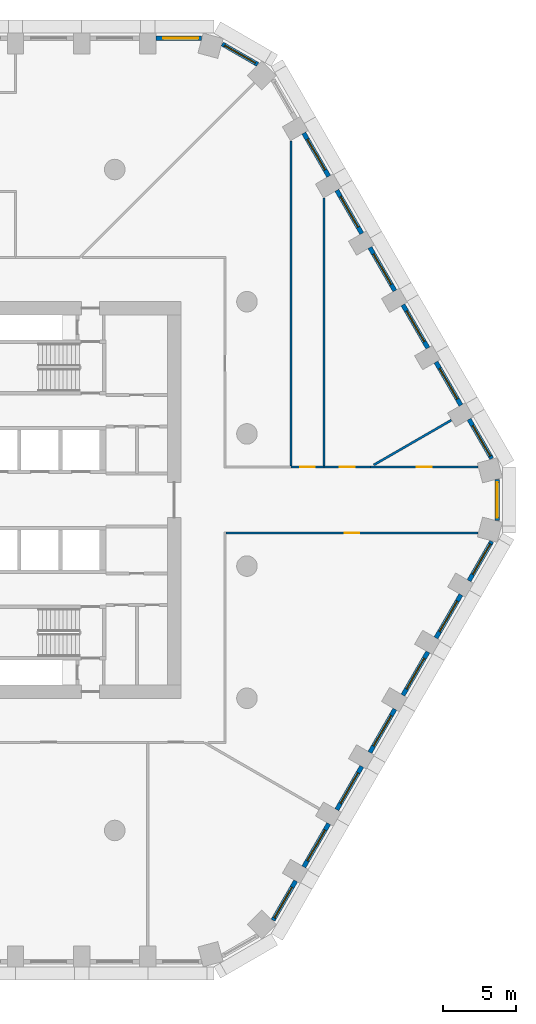
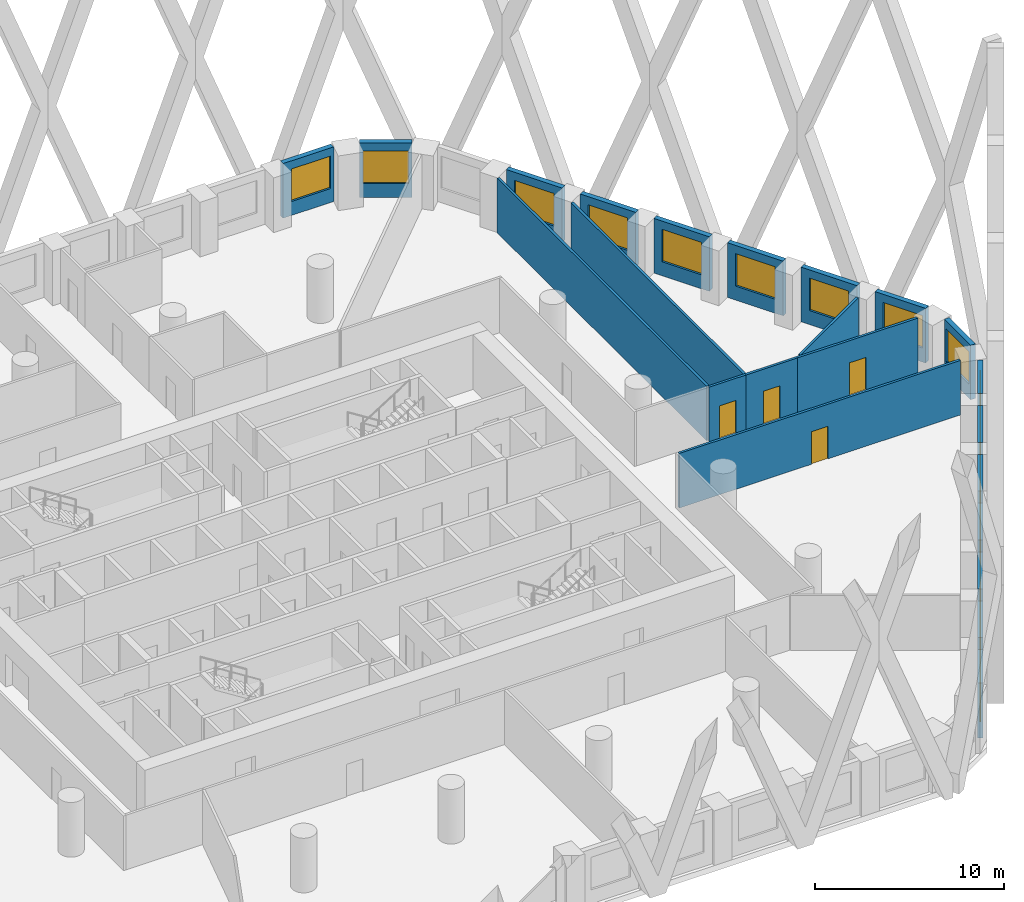
# One storey, part 8 of 18: 23 walls, 16 windows, 4 doors, 20 openings.
"""IFC4 building model written with IfcOpenShell, lengths in metres."""

from ifc_helpers import new_model, si_unit, direction, frame, frame_2d, origin, place, context, subcontext, project, spatial, rectangle, extrude, material, layer, layer_set, type_object, element, fill, save


model = new_model("IFC4")

# Units and contexts
model_context = context("Model", 3, precision=1e-05, world=origin(), true_north=direction((0.0, 1.0)))
body_context = subcontext(model_context, "Body", "Model", "MODEL_VIEW")
ifc_project = project(units=[si_unit("LENGTHUNIT", "METRE"), si_unit("AREAUNIT", "SQUARE_METRE"), si_unit("VOLUMEUNIT", "CUBIC_METRE"), si_unit("PLANEANGLEUNIT", "RADIAN"), si_unit("MASSUNIT", "GRAM", prefix="KILO")], contexts=[model_context])

# Site, building, storey
site_placement = place(None, origin())
site = spatial("IfcSite", under=ifc_project, at=site_placement, CompositionType="ELEMENT")
building_placement = place(site_placement, origin())
building = spatial("IfcBuilding", under=site, at=building_placement, Name="Dhurran Vertical Campus", CompositionType="ELEMENT")
storey_placement = place(building_placement, frame((0.0, 0.0, 53.39990234375)))
storey = spatial("IfcBuildingStorey", under=building, at=storey_placement, Name="L12", CompositionType="ELEMENT", Elevation=53.39990234375)

# Wall, opening, window
ifc_material_1 = material(Name="Precast concrete C50/60", Category="concrete")
ifc_layer_1 = layer(ifc_material_1, 0.300048828125)
ifc_layer_set_1 = layer_set([ifc_layer_1], Name="Precast concrete C50/60")
wall_type_1 = type_object("IfcWallType", Name="Precast spandrel wall 300", PredefinedType="SOLIDWALL", material=ifc_layer_set_1)
wall_1_placement = place(storey_placement, frame((24.2734375, -28.611083984375, 0.0), z_axis=(0.0, 0.0, 1.0), x_axis=(0.499995950774, 0.866027741594, 0.0)))
wall_1 = element("IfcWall", 1, at=wall_1_placement, inside=storey, type_object=wall_type_1, Name="EW1 L12.10", PredefinedType="SOLIDWALL", context=body_context, shape_type="SweptSolid", body=[
    extrude(rectangle(XDim=3.0908203125, YDim=0.300048828125, at=frame_2d((1.54541015625, 0.0))), origin(), (0.0, 0.0, 1.0), 3.525146484375),
])
opening_1_placement = place(wall_1_placement, frame((0.191162109375, 0.0, 0.89990234375)))
opening_1 = element("IfcOpeningElement", 2, at=opening_1_placement, cuts=wall_1, Name="Opening WT1", PredefinedType="OPENING", context=body_context, shape_type="SweptSolid", body=[
    extrude(rectangle(XDim=2.39990234375, YDim=2.10009765625, at=frame_2d((1.199951171875, 1.050048828125))), frame((0.0, 0.159912109375, 0.0), z_axis=(0.0, -1.0, 0.0), x_axis=(1.0, 0.0, 0.0)), (0.0, 0.0, 1.0), 0.320068359375),
])
ifc_material_2 = material(Name="Aluminium frame with solar-control glass", Category="aluminium")
window_type = type_object("IfcWindowType", Name="Punched window 2400 x 2100", PartitioningType="SINGLE_PANEL", PredefinedType="WINDOW", material=ifc_material_2)
window_1_placement = place(opening_1_placement, origin())
window_1 = element("IfcWindow", 3, at=window_1_placement, inside=storey, type_object=window_type, Name="WT1 L12.10", OverallHeight=2.10009765625, OverallWidth=2.39990234375, PartitioningType="SINGLE_PANEL", PredefinedType="WINDOW", context=body_context, shape_type="SweptSolid", body=[
    extrude(rectangle(XDim=2.39990234375, YDim=2.10009765625, at=frame_2d((1.199951171875, 1.050048828125))), frame((0.0, 0.030029296875, 0.0), z_axis=(0.0, -1.0, 0.0), x_axis=(1.0, 0.0, 0.0)), (0.0, 0.0, 1.0), 0.06005859375),
])
fill(opening_1, window_1)

wall_2_placement = place(storey_placement, frame((26.369384765625, -24.98095703125, 0.0), z_axis=(0.0, 0.0, 1.0), x_axis=(0.499993955907, 0.866028893315, 0.0)))
wall_2 = element("IfcWall", 4, at=wall_2_placement, inside=storey, type_object=wall_type_1, Name="EW1 L12.11", PredefinedType="SOLIDWALL", context=body_context, shape_type="SweptSolid", body=[
    extrude(rectangle(XDim=3.39892578125, YDim=0.300048828125, at=frame_2d((1.699462890625, 0.0))), origin(), (0.0, 0.0, 1.0), 3.525146484375),
])
opening_2_placement = place(wall_2_placement, frame((0.49951171875, 0.0, 0.89990234375)))
opening_2 = element("IfcOpeningElement", 5, at=opening_2_placement, cuts=wall_2, Name="Opening WT1", PredefinedType="OPENING", context=body_context, shape_type="SweptSolid", body=[
    extrude(rectangle(XDim=2.39990234375, YDim=2.10009765625, at=frame_2d((1.199951171875, 1.050048828125))), frame((0.0, 0.159912109375, 0.0), z_axis=(0.0, -1.0, 0.0), x_axis=(1.0, 0.0, 0.0)), (0.0, 0.0, 1.0), 0.320068359375),
])
window_2_placement = place(opening_2_placement, origin())
window_2 = element("IfcWindow", 6, at=window_2_placement, inside=storey, type_object=window_type, Name="WT1 L12.11", OverallHeight=2.10009765625, OverallWidth=2.39990234375, PartitioningType="SINGLE_PANEL", PredefinedType="WINDOW", context=body_context, shape_type="SweptSolid", body=[
    extrude(rectangle(XDim=2.39990234375, YDim=2.10009765625, at=frame_2d((1.199951171875, 1.050048828125))), frame((0.0, 0.030029296875, 0.0), z_axis=(0.0, -1.0, 0.0), x_axis=(1.0, 0.0, 0.0)), (0.0, 0.0, 1.0), 0.06005859375),
])
fill(opening_2, window_2)

wall_3_placement = place(storey_placement, frame((28.619384765625, -21.083740234375, 0.0), z_axis=(0.0, 0.0, 1.0), x_axis=(0.499993955907, 0.866028893315, 0.0)))
wall_3 = element("IfcWall", 7, at=wall_3_placement, inside=storey, type_object=wall_type_1, Name="EW1 L12.12", PredefinedType="SOLIDWALL", context=body_context, shape_type="SweptSolid", body=[
    extrude(rectangle(XDim=3.39892578125, YDim=0.300048828125, at=frame_2d((1.699462890625, 0.0))), origin(), (0.0, 0.0, 1.0), 3.525146484375),
])
opening_3_placement = place(wall_3_placement, frame((0.49951171875, 0.0, 0.89990234375)))
opening_3 = element("IfcOpeningElement", 8, at=opening_3_placement, cuts=wall_3, Name="Opening WT1", PredefinedType="OPENING", context=body_context, shape_type="SweptSolid", body=[
    extrude(rectangle(XDim=2.39990234375, YDim=2.10009765625, at=frame_2d((1.199951171875, 1.050048828125))), frame((0.0, 0.159912109375, 0.0), z_axis=(0.0, -1.0, 0.0), x_axis=(1.0, 0.0, 0.0)), (0.0, 0.0, 1.0), 0.320068359375),
])
window_3_placement = place(opening_3_placement, origin())
window_3 = element("IfcWindow", 9, at=window_3_placement, inside=storey, type_object=window_type, Name="WT1 L12.12", OverallHeight=2.10009765625, OverallWidth=2.39990234375, PartitioningType="SINGLE_PANEL", PredefinedType="WINDOW", context=body_context, shape_type="SweptSolid", body=[
    extrude(rectangle(XDim=2.39990234375, YDim=2.10009765625, at=frame_2d((1.199951171875, 1.050048828125))), frame((0.0, 0.030029296875, 0.0), z_axis=(0.0, -1.0, 0.0), x_axis=(1.0, 0.0, 0.0)), (0.0, 0.0, 1.0), 0.06005859375),
])
fill(opening_3, window_3)

wall_4_placement = place(storey_placement, frame((30.869384765625, -17.186767578125, 0.0), z_axis=(0.0, 0.0, 1.0), x_axis=(0.499993955907, 0.866028893315, 0.0)))
wall_4 = element("IfcWall", 10, at=wall_4_placement, inside=storey, type_object=wall_type_1, Name="EW1 L12.13", PredefinedType="SOLIDWALL", context=body_context, shape_type="SweptSolid", body=[
    extrude(rectangle(XDim=3.39892578125, YDim=0.300048828125, at=frame_2d((1.699462890625, 0.0))), origin(), (0.0, 0.0, 1.0), 3.525146484375),
])
opening_4_placement = place(wall_4_placement, frame((0.49951171875, 0.0, 0.89990234375)))
opening_4 = element("IfcOpeningElement", 11, at=opening_4_placement, cuts=wall_4, Name="Opening WT1", PredefinedType="OPENING", context=body_context, shape_type="SweptSolid", body=[
    extrude(rectangle(XDim=2.39990234375, YDim=2.10009765625, at=frame_2d((1.199951171875, 1.050048828125))), frame((0.0, 0.159912109375, 0.0), z_axis=(0.0, -1.0, 0.0), x_axis=(1.0, 0.0, 0.0)), (0.0, 0.0, 1.0), 0.320068359375),
])
window_4_placement = place(opening_4_placement, origin())
window_4 = element("IfcWindow", 12, at=window_4_placement, inside=storey, type_object=window_type, Name="WT1 L12.13", OverallHeight=2.10009765625, OverallWidth=2.39990234375, PartitioningType="SINGLE_PANEL", PredefinedType="WINDOW", context=body_context, shape_type="SweptSolid", body=[
    extrude(rectangle(XDim=2.39990234375, YDim=2.10009765625, at=frame_2d((1.199951171875, 1.050048828125))), frame((0.0, 0.030029296875, 0.0), z_axis=(0.0, -1.0, 0.0), x_axis=(1.0, 0.0, 0.0)), (0.0, 0.0, 1.0), 0.06005859375),
])
fill(opening_4, window_4)

wall_5_placement = place(storey_placement, frame((33.119384765625, -13.28955078125, 0.0), z_axis=(0.0, 0.0, 1.0), x_axis=(0.499993955907, 0.866028893315, 0.0)))
wall_5 = element("IfcWall", 13, at=wall_5_placement, inside=storey, type_object=wall_type_1, Name="EW1 L12.14", PredefinedType="SOLIDWALL", context=body_context, shape_type="SweptSolid", body=[
    extrude(rectangle(XDim=3.39892578125, YDim=0.300048828125, at=frame_2d((1.699462890625, 0.0))), origin(), (0.0, 0.0, 1.0), 3.525146484375),
])
opening_5_placement = place(wall_5_placement, frame((0.49951171875, 0.0, 0.89990234375)))
opening_5 = element("IfcOpeningElement", 14, at=opening_5_placement, cuts=wall_5, Name="Opening WT1", PredefinedType="OPENING", context=body_context, shape_type="SweptSolid", body=[
    extrude(rectangle(XDim=2.39990234375, YDim=2.10009765625, at=frame_2d((1.199951171875, 1.050048828125))), frame((0.0, 0.159912109375, 0.0), z_axis=(0.0, -1.0, 0.0), x_axis=(1.0, 0.0, 0.0)), (0.0, 0.0, 1.0), 0.320068359375),
])
window_5_placement = place(opening_5_placement, origin())
window_5 = element("IfcWindow", 15, at=window_5_placement, inside=storey, type_object=window_type, Name="WT1 L12.14", OverallHeight=2.10009765625, OverallWidth=2.39990234375, PartitioningType="SINGLE_PANEL", PredefinedType="WINDOW", context=body_context, shape_type="SweptSolid", body=[
    extrude(rectangle(XDim=2.39990234375, YDim=2.10009765625, at=frame_2d((1.199951171875, 1.050048828125))), frame((0.0, 0.030029296875, 0.0), z_axis=(0.0, -1.0, 0.0), x_axis=(1.0, 0.0, 0.0)), (0.0, 0.0, 1.0), 0.06005859375),
])
fill(opening_5, window_5)

wall_6_placement = place(storey_placement, frame((35.369384765625, -9.392578125, 0.0), z_axis=(0.0, 0.0, 1.0), x_axis=(0.499993955907, 0.866028893315, 0.0)))
wall_6 = element("IfcWall", 16, at=wall_6_placement, inside=storey, type_object=wall_type_1, Name="EW1 L12.15", PredefinedType="SOLIDWALL", context=body_context, shape_type="SweptSolid", body=[
    extrude(rectangle(XDim=3.39892578125, YDim=0.300048828125, at=frame_2d((1.699462890625, 0.0))), origin(), (0.0, 0.0, 1.0), 3.525146484375),
])
opening_6_placement = place(wall_6_placement, frame((0.49951171875, 0.0, 0.89990234375)))
opening_6 = element("IfcOpeningElement", 17, at=opening_6_placement, cuts=wall_6, Name="Opening WT1", PredefinedType="OPENING", context=body_context, shape_type="SweptSolid", body=[
    extrude(rectangle(XDim=2.39990234375, YDim=2.10009765625, at=frame_2d((1.199951171875, 1.050048828125))), frame((0.0, 0.159912109375, 0.0), z_axis=(0.0, -1.0, 0.0), x_axis=(1.0, 0.0, 0.0)), (0.0, 0.0, 1.0), 0.320068359375),
])
window_6_placement = place(opening_6_placement, origin())
window_6 = element("IfcWindow", 18, at=window_6_placement, inside=storey, type_object=window_type, Name="WT1 L12.15", OverallHeight=2.10009765625, OverallWidth=2.39990234375, PartitioningType="SINGLE_PANEL", PredefinedType="WINDOW", context=body_context, shape_type="SweptSolid", body=[
    extrude(rectangle(XDim=2.39990234375, YDim=2.10009765625, at=frame_2d((1.199951171875, 1.050048828125))), frame((0.0, 0.030029296875, 0.0), z_axis=(0.0, -1.0, 0.0), x_axis=(1.0, 0.0, 0.0)), (0.0, 0.0, 1.0), 0.06005859375),
])
fill(opening_6, window_6)

wall_7_placement = place(storey_placement, frame((37.619384765625, -5.495361328125, 0.0), z_axis=(0.0, 0.0, 1.0), x_axis=(0.49997090907, 0.866042198789, 0.0)))
wall_7 = element("IfcWall", 19, at=wall_7_placement, inside=storey, type_object=wall_type_1, Name="EW1 L12.16", PredefinedType="SOLIDWALL", context=body_context, shape_type="SweptSolid", body=[
    extrude(rectangle(XDim=3.090576171875, YDim=0.300048828125, at=frame_2d((1.54541015625, 0.0))), origin(), (0.0, 0.0, 1.0), 3.525146484375),
])
opening_7_placement = place(wall_7_placement, frame((0.49951171875, 0.0, 0.89990234375)))
opening_7 = element("IfcOpeningElement", 20, at=opening_7_placement, cuts=wall_7, Name="Opening WT1", PredefinedType="OPENING", context=body_context, shape_type="SweptSolid", body=[
    extrude(rectangle(XDim=2.39990234375, YDim=2.10009765625, at=frame_2d((1.199951171875, 1.050048828125))), frame((0.0, 0.159912109375, 0.0), z_axis=(0.0, -1.0, 0.0), x_axis=(1.0, 0.0, 0.0)), (0.0, 0.0, 1.0), 0.320068359375),
])
window_7_placement = place(opening_7_placement, origin())
window_7 = element("IfcWindow", 21, at=window_7_placement, inside=storey, type_object=window_type, Name="WT1 L12.16", OverallHeight=2.10009765625, OverallWidth=2.39990234375, PartitioningType="SINGLE_PANEL", PredefinedType="WINDOW", context=body_context, shape_type="SweptSolid", body=[
    extrude(rectangle(XDim=2.39990234375, YDim=2.10009765625, at=frame_2d((1.199951171875, 1.050048828125))), frame((0.0, 0.030029296875, 0.0), z_axis=(0.0, -1.0, 0.0), x_axis=(1.0, 0.0, 0.0)), (0.0, 0.0, 1.0), 0.06005859375),
])
fill(opening_7, window_7)

wall_8_placement = place(storey_placement, frame((39.547119140625, -1.39111328125, 0.0), z_axis=(0.0, 0.0, 1.0), x_axis=(0.0, 1.0, 0.0)))
wall_8 = element("IfcWall", 22, at=wall_8_placement, inside=storey, type_object=wall_type_1, Name="EW1 L12.17", PredefinedType="SOLIDWALL", context=body_context, shape_type="SweptSolid", body=[
    extrude(rectangle(XDim=2.7822265625, YDim=0.300048828125, at=frame_2d((1.39111328125, 0.0))), origin(), (0.0, 0.0, 1.0), 3.525146484375),
])
opening_8_placement = place(wall_8_placement, frame((0.191162109375, 0.0, 0.89990234375)))
opening_8 = element("IfcOpeningElement", 23, at=opening_8_placement, cuts=wall_8, Name="Opening WT1", PredefinedType="OPENING", context=body_context, shape_type="SweptSolid", body=[
    extrude(rectangle(XDim=2.39990234375, YDim=2.10009765625, at=frame_2d((1.199951171875, 1.050048828125))), frame((0.0, 0.159912109375, 0.0), z_axis=(0.0, -1.0, 0.0), x_axis=(1.0, 0.0, 0.0)), (0.0, 0.0, 1.0), 0.320068359375),
])
window_8_placement = place(opening_8_placement, origin())
window_8 = element("IfcWindow", 24, at=window_8_placement, inside=storey, type_object=window_type, Name="WT1 L12.17", OverallHeight=2.10009765625, OverallWidth=2.39990234375, PartitioningType="SINGLE_PANEL", PredefinedType="WINDOW", context=body_context, shape_type="SweptSolid", body=[
    extrude(rectangle(XDim=2.39990234375, YDim=2.10009765625, at=frame_2d((1.199951171875, 1.050048828125))), frame((0.0, 0.030029296875, 0.0), z_axis=(0.0, -1.0, 0.0), x_axis=(1.0, 0.0, 0.0)), (0.0, 0.0, 1.0), 0.06005859375),
])
fill(opening_8, window_8)

wall_9_placement = place(storey_placement, frame((39.16455078125, 2.81884765625, 0.0), z_axis=(0.0, 0.0, 1.0), x_axis=(-0.49997090907, 0.866042198789, 0.0)))
wall_9 = element("IfcWall", 25, at=wall_9_placement, inside=storey, type_object=wall_type_1, Name="EW1 L12.18", PredefinedType="SOLIDWALL", context=body_context, shape_type="SweptSolid", body=[
    extrude(rectangle(XDim=3.090576171875, YDim=0.300048828125, at=frame_2d((1.54541015625, 0.0))), origin(), (0.0, 0.0, 1.0), 3.525146484375),
])
opening_9_placement = place(wall_9_placement, frame((0.19091796875, 0.0, 0.89990234375)))
opening_9 = element("IfcOpeningElement", 26, at=opening_9_placement, cuts=wall_9, Name="Opening WT1", PredefinedType="OPENING", context=body_context, shape_type="SweptSolid", body=[
    extrude(rectangle(XDim=2.39990234375, YDim=2.10009765625, at=frame_2d((1.199951171875, 1.050048828125))), frame((0.0, 0.159912109375, 0.0), z_axis=(0.0, -1.0, 0.0), x_axis=(1.0, 0.0, 0.0)), (0.0, 0.0, 1.0), 0.320068359375),
])
window_9_placement = place(opening_9_placement, origin())
window_9 = element("IfcWindow", 27, at=window_9_placement, inside=storey, type_object=window_type, Name="WT1 L12.18", OverallHeight=2.10009765625, OverallWidth=2.39990234375, PartitioningType="SINGLE_PANEL", PredefinedType="WINDOW", context=body_context, shape_type="SweptSolid", body=[
    extrude(rectangle(XDim=2.39990234375, YDim=2.10009765625, at=frame_2d((1.199951171875, 1.050048828125))), frame((0.0, 0.030029296875, 0.0), z_axis=(0.0, -1.0, 0.0), x_axis=(1.0, 0.0, 0.0)), (0.0, 0.0, 1.0), 0.06005859375),
])
fill(opening_9, window_9)

wall_10_placement = place(storey_placement, frame((37.06884765625, 6.448974609375, 0.0), z_axis=(0.0, 0.0, 1.0), x_axis=(-0.499993955907, 0.866028893315, 0.0)))
wall_10 = element("IfcWall", 28, at=wall_10_placement, inside=storey, type_object=wall_type_1, Name="EW1 L12.19", PredefinedType="SOLIDWALL", context=body_context, shape_type="SweptSolid", body=[
    extrude(rectangle(XDim=3.39892578125, YDim=0.300048828125, at=frame_2d((1.699462890625, 0.0))), origin(), (0.0, 0.0, 1.0), 3.525146484375),
])
opening_10_placement = place(wall_10_placement, frame((0.49951171875, 0.0, 0.89990234375)))
opening_10 = element("IfcOpeningElement", 29, at=opening_10_placement, cuts=wall_10, Name="Opening WT1", PredefinedType="OPENING", context=body_context, shape_type="SweptSolid", body=[
    extrude(rectangle(XDim=2.39990234375, YDim=2.10009765625, at=frame_2d((1.199951171875, 1.050048828125))), frame((0.0, 0.159912109375, 0.0), z_axis=(0.0, -1.0, 0.0), x_axis=(1.0, 0.0, 0.0)), (0.0, 0.0, 1.0), 0.320068359375),
])
window_10_placement = place(opening_10_placement, origin())
window_10 = element("IfcWindow", 30, at=window_10_placement, inside=storey, type_object=window_type, Name="WT1 L12.19", OverallHeight=2.10009765625, OverallWidth=2.39990234375, PartitioningType="SINGLE_PANEL", PredefinedType="WINDOW", context=body_context, shape_type="SweptSolid", body=[
    extrude(rectangle(XDim=2.39990234375, YDim=2.10009765625, at=frame_2d((1.199951171875, 1.050048828125))), frame((0.0, 0.030029296875, 0.0), z_axis=(0.0, -1.0, 0.0), x_axis=(1.0, 0.0, 0.0)), (0.0, 0.0, 1.0), 0.06005859375),
])
fill(opening_10, window_10)

wall_11_placement = place(storey_placement, frame((34.81884765625, 10.345947265625, 0.0), z_axis=(0.0, 0.0, 1.0), x_axis=(-0.499993955907, 0.866028893315, 0.0)))
wall_11 = element("IfcWall", 31, at=wall_11_placement, inside=storey, type_object=wall_type_1, Name="EW1 L12.20", PredefinedType="SOLIDWALL", context=body_context, shape_type="SweptSolid", body=[
    extrude(rectangle(XDim=3.39892578125, YDim=0.300048828125, at=frame_2d((1.699462890625, 0.0))), origin(), (0.0, 0.0, 1.0), 3.525146484375),
])
opening_11_placement = place(wall_11_placement, frame((0.49951171875, 0.0, 0.89990234375)))
opening_11 = element("IfcOpeningElement", 32, at=opening_11_placement, cuts=wall_11, Name="Opening WT1", PredefinedType="OPENING", context=body_context, shape_type="SweptSolid", body=[
    extrude(rectangle(XDim=2.39990234375, YDim=2.10009765625, at=frame_2d((1.199951171875, 1.050048828125))), frame((0.0, 0.159912109375, 0.0), z_axis=(0.0, -1.0, 0.0), x_axis=(1.0, 0.0, 0.0)), (0.0, 0.0, 1.0), 0.320068359375),
])
window_11_placement = place(opening_11_placement, origin())
window_11 = element("IfcWindow", 33, at=window_11_placement, inside=storey, type_object=window_type, Name="WT1 L12.20", OverallHeight=2.10009765625, OverallWidth=2.39990234375, PartitioningType="SINGLE_PANEL", PredefinedType="WINDOW", context=body_context, shape_type="SweptSolid", body=[
    extrude(rectangle(XDim=2.39990234375, YDim=2.10009765625, at=frame_2d((1.199951171875, 1.050048828125))), frame((0.0, 0.030029296875, 0.0), z_axis=(0.0, -1.0, 0.0), x_axis=(1.0, 0.0, 0.0)), (0.0, 0.0, 1.0), 0.06005859375),
])
fill(opening_11, window_11)

wall_12_placement = place(storey_placement, frame((32.56884765625, 14.2431640625, 0.0), z_axis=(0.0, 0.0, 1.0), x_axis=(-0.499993955907, 0.866028893315, 0.0)))
wall_12 = element("IfcWall", 34, at=wall_12_placement, inside=storey, type_object=wall_type_1, Name="EW1 L12.21", PredefinedType="SOLIDWALL", context=body_context, shape_type="SweptSolid", body=[
    extrude(rectangle(XDim=3.39892578125, YDim=0.300048828125, at=frame_2d((1.699462890625, 0.0))), origin(), (0.0, 0.0, 1.0), 3.525146484375),
])
opening_12_placement = place(wall_12_placement, frame((0.49951171875, 0.0, 0.89990234375)))
opening_12 = element("IfcOpeningElement", 35, at=opening_12_placement, cuts=wall_12, Name="Opening WT1", PredefinedType="OPENING", context=body_context, shape_type="SweptSolid", body=[
    extrude(rectangle(XDim=2.39990234375, YDim=2.10009765625, at=frame_2d((1.199951171875, 1.050048828125))), frame((0.0, 0.159912109375, 0.0), z_axis=(0.0, -1.0, 0.0), x_axis=(1.0, 0.0, 0.0)), (0.0, 0.0, 1.0), 0.320068359375),
])
window_12_placement = place(opening_12_placement, origin())
window_12 = element("IfcWindow", 36, at=window_12_placement, inside=storey, type_object=window_type, Name="WT1 L12.21", OverallHeight=2.10009765625, OverallWidth=2.39990234375, PartitioningType="SINGLE_PANEL", PredefinedType="WINDOW", context=body_context, shape_type="SweptSolid", body=[
    extrude(rectangle(XDim=2.39990234375, YDim=2.10009765625, at=frame_2d((1.199951171875, 1.050048828125))), frame((0.0, 0.030029296875, 0.0), z_axis=(0.0, -1.0, 0.0), x_axis=(1.0, 0.0, 0.0)), (0.0, 0.0, 1.0), 0.06005859375),
])
fill(opening_12, window_12)

wall_13_placement = place(storey_placement, frame((30.31884765625, 18.14013671875, 0.0), z_axis=(0.0, 0.0, 1.0), x_axis=(-0.499993955907, 0.866028893315, 0.0)))
wall_13 = element("IfcWall", 37, at=wall_13_placement, inside=storey, type_object=wall_type_1, Name="EW1 L12.22", PredefinedType="SOLIDWALL", context=body_context, shape_type="SweptSolid", body=[
    extrude(rectangle(XDim=3.39892578125, YDim=0.300048828125, at=frame_2d((1.699462890625, 0.0))), origin(), (0.0, 0.0, 1.0), 3.525146484375),
])
opening_13_placement = place(wall_13_placement, frame((0.49951171875, 0.0, 0.89990234375)))
opening_13 = element("IfcOpeningElement", 38, at=opening_13_placement, cuts=wall_13, Name="Opening WT1", PredefinedType="OPENING", context=body_context, shape_type="SweptSolid", body=[
    extrude(rectangle(XDim=2.39990234375, YDim=2.10009765625, at=frame_2d((1.199951171875, 1.050048828125))), frame((0.0, 0.159912109375, 0.0), z_axis=(0.0, -1.0, 0.0), x_axis=(1.0, 0.0, 0.0)), (0.0, 0.0, 1.0), 0.320068359375),
])
window_13_placement = place(opening_13_placement, origin())
window_13 = element("IfcWindow", 39, at=window_13_placement, inside=storey, type_object=window_type, Name="WT1 L12.22", OverallHeight=2.10009765625, OverallWidth=2.39990234375, PartitioningType="SINGLE_PANEL", PredefinedType="WINDOW", context=body_context, shape_type="SweptSolid", body=[
    extrude(rectangle(XDim=2.39990234375, YDim=2.10009765625, at=frame_2d((1.199951171875, 1.050048828125))), frame((0.0, 0.030029296875, 0.0), z_axis=(0.0, -1.0, 0.0), x_axis=(1.0, 0.0, 0.0)), (0.0, 0.0, 1.0), 0.06005859375),
])
fill(opening_13, window_13)

wall_14_placement = place(storey_placement, frame((28.06884765625, 22.037353515625, 0.0), z_axis=(0.0, 0.0, 1.0), x_axis=(-0.499993955907, 0.866028893315, 0.0)))
wall_14 = element("IfcWall", 40, at=wall_14_placement, inside=storey, type_object=wall_type_1, Name="EW1 L12.23", PredefinedType="SOLIDWALL", context=body_context, shape_type="SweptSolid", body=[
    extrude(rectangle(XDim=3.39892578125, YDim=0.300048828125, at=frame_2d((1.699462890625, 0.0))), origin(), (0.0, 0.0, 1.0), 3.525146484375),
])
opening_14_placement = place(wall_14_placement, frame((0.49951171875, 0.0, 0.89990234375)))
opening_14 = element("IfcOpeningElement", 41, at=opening_14_placement, cuts=wall_14, Name="Opening WT1", PredefinedType="OPENING", context=body_context, shape_type="SweptSolid", body=[
    extrude(rectangle(XDim=2.39990234375, YDim=2.10009765625, at=frame_2d((1.199951171875, 1.050048828125))), frame((0.0, 0.159912109375, 0.0), z_axis=(0.0, -1.0, 0.0), x_axis=(1.0, 0.0, 0.0)), (0.0, 0.0, 1.0), 0.320068359375),
])
window_14_placement = place(opening_14_placement, origin())
window_14 = element("IfcWindow", 42, at=window_14_placement, inside=storey, type_object=window_type, Name="WT1 L12.23", OverallHeight=2.10009765625, OverallWidth=2.39990234375, PartitioningType="SINGLE_PANEL", PredefinedType="WINDOW", context=body_context, shape_type="SweptSolid", body=[
    extrude(rectangle(XDim=2.39990234375, YDim=2.10009765625, at=frame_2d((1.199951171875, 1.050048828125))), frame((0.0, 0.030029296875, 0.0), z_axis=(0.0, -1.0, 0.0), x_axis=(1.0, 0.0, 0.0)), (0.0, 0.0, 1.0), 0.06005859375),
])
fill(opening_14, window_14)

wall_15_placement = place(storey_placement, frame((23.228271484375, 29.656005859375, 0.0), z_axis=(0.0, 0.0, 1.0), x_axis=(-0.866020456713, 0.500008568482, 0.0)))
wall_15 = element("IfcWall", 43, at=wall_15_placement, inside=storey, type_object=wall_type_1, Name="EW1 L12.25", PredefinedType="SOLIDWALL", context=body_context, shape_type="SweptSolid", body=[
    extrude(rectangle(XDim=2.7822265625, YDim=0.300048828125, at=frame_2d((1.39111328125, 0.0))), origin(), (0.0, 0.0, 1.0), 3.525146484375),
])
opening_15_placement = place(wall_15_placement, frame((0.191162109375, 0.0, 0.89990234375)))
opening_15 = element("IfcOpeningElement", 44, at=opening_15_placement, cuts=wall_15, Name="Opening WT1", PredefinedType="OPENING", context=body_context, shape_type="SweptSolid", body=[
    extrude(rectangle(XDim=2.39990234375, YDim=2.10009765625, at=frame_2d((1.199951171875, 1.050048828125))), frame((0.0, 0.159912109375, 0.0), z_axis=(0.0, -1.0, 0.0), x_axis=(1.0, 0.0, 0.0)), (0.0, 0.0, 1.0), 0.320068359375),
])
window_15_placement = place(opening_15_placement, origin())
window_15 = element("IfcWindow", 45, at=window_15_placement, inside=storey, type_object=window_type, Name="WT1 L12.25", OverallHeight=2.10009765625, OverallWidth=2.39990234375, PartitioningType="SINGLE_PANEL", PredefinedType="WINDOW", context=body_context, shape_type="SweptSolid", body=[
    extrude(rectangle(XDim=2.39990234375, YDim=2.10009765625, at=frame_2d((1.199951171875, 1.050048828125))), frame((0.0, 0.030029296875, 0.0), z_axis=(0.0, -1.0, 0.0), x_axis=(1.0, 0.0, 0.0)), (0.0, 0.0, 1.0), 0.06005859375),
])
fill(opening_15, window_15)

wall_16_placement = place(storey_placement, frame((19.39111328125, 31.4296875, 0.0), z_axis=(0.0, 0.0, 1.0), x_axis=(-1.0, 0.0, 0.0)))
wall_16 = element("IfcWall", 46, at=wall_16_placement, inside=storey, type_object=wall_type_1, Name="EW1 L12.26", PredefinedType="SOLIDWALL", context=body_context, shape_type="SweptSolid", body=[
    extrude(rectangle(XDim=3.090576171875, YDim=0.300048828125, at=frame_2d((1.54541015625, 0.0))), origin(), (0.0, 0.0, 1.0), 3.525146484375),
])
opening_16_placement = place(wall_16_placement, frame((0.191162109375, 0.0, 0.89990234375)))
opening_16 = element("IfcOpeningElement", 47, at=opening_16_placement, cuts=wall_16, Name="Opening WT1", PredefinedType="OPENING", context=body_context, shape_type="SweptSolid", body=[
    extrude(rectangle(XDim=2.39990234375, YDim=2.10009765625, at=frame_2d((1.199951171875, 1.050048828125))), frame((0.0, 0.159912109375, 0.0), z_axis=(0.0, -1.0, 0.0), x_axis=(1.0, 0.0, 0.0)), (0.0, 0.0, 1.0), 0.320068359375),
])
window_16_placement = place(opening_16_placement, origin())
window_16 = element("IfcWindow", 48, at=window_16_placement, inside=storey, type_object=window_type, Name="WT1 L12.26", OverallHeight=2.10009765625, OverallWidth=2.39990234375, PartitioningType="SINGLE_PANEL", PredefinedType="WINDOW", context=body_context, shape_type="SweptSolid", body=[
    extrude(rectangle(XDim=2.39990234375, YDim=2.10009765625, at=frame_2d((1.199951171875, 1.050048828125))), frame((0.0, 0.030029296875, 0.0), z_axis=(0.0, -1.0, 0.0), x_axis=(1.0, 0.0, 0.0)), (0.0, 0.0, 1.0), 0.06005859375),
])
fill(opening_16, window_16)

# Wall, opening, door
ifc_material_3 = material(Name="Gypsum board corridor wall on steel studs", Category="steel")
ifc_layer_2 = layer(ifc_material_3, 0.14990234375)
ifc_layer_set_2 = layer_set([ifc_layer_2], Name="Gypsum board corridor wall on steel studs")
wall_type_2 = type_object("IfcWallType", Name="fl-CW-150 corridor wall", PredefinedType="PARTITIONING", material=ifc_layer_set_2)
wall_17_placement = place(storey_placement, frame((38.23291015625, -2.25, 0.0), z_axis=(0.0, 0.0, 1.0), x_axis=(-1.0, 0.0, 0.0)))
wall_17 = element("IfcWall", 49, at=wall_17_placement, inside=storey, type_object=wall_type_2, Name="Partition 12-42", PredefinedType="PARTITIONING", context=body_context, shape_type="SweptSolid", body=[
    extrude(rectangle(XDim=17.157958984375, YDim=0.14990234375, at=frame_2d((8.5791015625, 0.0))), origin(), (0.0, 0.0, 1.0), 3.525146484375),
])
opening_17_placement = place(wall_17_placement, frame((8.0791015625, 0.0, 0.0)))
opening_17 = element("IfcOpeningElement", 50, at=opening_17_placement, cuts=wall_17, Name="Opening T03.16", PredefinedType="OPENING", context=body_context, shape_type="SweptSolid", body=[
    extrude(rectangle(XDim=1.0, YDim=2.10009765625, at=frame_2d((0.5, 1.050048828125))), frame((0.0, 0.0849609375, 0.0), z_axis=(0.0, -1.0, 0.0), x_axis=(1.0, 0.0, 0.0)), (0.0, 0.0, 1.0), 0.169921875),
])
ifc_material_4 = material(Name="Solid-core timber door set, fire-rated", Category="wood")
door_type = type_object("IfcDoorType", Name="fl-D-1000x2100", OperationType="SINGLE_SWING_LEFT", PredefinedType="DOOR", material=ifc_material_4)
door_1_placement = place(opening_17_placement, origin())
door_1 = element("IfcDoor", 51, at=door_1_placement, inside=storey, type_object=door_type, Name="Door 12.16", OperationType="SINGLE_SWING_LEFT", OverallHeight=2.10009765625, OverallWidth=1.0, PredefinedType="DOOR", context=body_context, shape_type="SweptSolid", body=[
    extrude(rectangle(XDim=1.0, YDim=2.10009765625, at=frame_2d((0.5, 1.050048828125))), frame((0.0, 0.02490234375, 0.0), z_axis=(0.0, -1.0, 0.0), x_axis=(1.0, 0.0, 0.0)), (0.0, 0.0, 1.0), 0.050048828125),
])
fill(opening_17, door_1)

wall_18_placement = place(storey_placement, frame((25.5, 2.25, 0.0), z_axis=(0.0, 0.0, 1.0), x_axis=(1.0, 0.0, 0.0)))
wall_18 = element("IfcWall", 52, at=wall_18_placement, inside=storey, type_object=wall_type_2, Name="Partition 12-46", PredefinedType="PARTITIONING", context=body_context, shape_type="SweptSolid", body=[
    extrude(rectangle(XDim=2.25, YDim=0.14990234375, at=frame_2d((1.125, 0.0))), origin(), (0.0, 0.0, 1.0), 3.525146484375),
])
opening_18_placement = place(wall_18_placement, frame((0.625, 0.0, 0.0)))
opening_18 = element("IfcOpeningElement", 53, at=opening_18_placement, cuts=wall_18, Name="Opening T03.15", PredefinedType="OPENING", context=body_context, shape_type="SweptSolid", body=[
    extrude(rectangle(XDim=1.0, YDim=2.10009765625, at=frame_2d((0.5, 1.050048828125))), frame((0.0, 0.0849609375, 0.0), z_axis=(0.0, -1.0, 0.0), x_axis=(1.0, 0.0, 0.0)), (0.0, 0.0, 1.0), 0.169921875),
])
door_2_placement = place(opening_18_placement, origin())
door_2 = element("IfcDoor", 54, at=door_2_placement, inside=storey, type_object=door_type, Name="Door 12.15", OperationType="SINGLE_SWING_RIGHT", OverallHeight=2.10009765625, OverallWidth=1.0, PredefinedType="DOOR", context=body_context, shape_type="SweptSolid", body=[
    extrude(rectangle(XDim=1.0, YDim=2.10009765625, at=frame_2d((0.5, 1.050048828125))), frame((0.0, 0.02490234375, 0.0), z_axis=(0.0, -1.0, 0.0), x_axis=(1.0, 0.0, 0.0)), (0.0, 0.0, 1.0), 0.050048828125),
])
fill(opening_18, door_2)

wall_19_placement = place(storey_placement, frame((27.75, 2.25, 0.0), z_axis=(0.0, 0.0, 1.0), x_axis=(1.0, 0.0, 0.0)))
wall_19 = element("IfcWall", 55, at=wall_19_placement, inside=storey, type_object=wall_type_2, Name="Partition 12-48", PredefinedType="PARTITIONING", context=body_context, shape_type="SweptSolid", body=[
    extrude(rectangle(XDim=3.14697265625, YDim=0.14990234375, at=frame_2d((1.573486328125, 0.0))), origin(), (0.0, 0.0, 1.0), 3.525146484375),
])
opening_19_placement = place(wall_19_placement, frame((1.073486328125, 0.0, 0.0)))
opening_19 = element("IfcOpeningElement", 56, at=opening_19_placement, cuts=wall_19, Name="Opening T03.17", PredefinedType="OPENING", context=body_context, shape_type="SweptSolid", body=[
    extrude(rectangle(XDim=1.0, YDim=2.10009765625, at=frame_2d((0.5, 1.050048828125))), frame((0.0, 0.0849609375, 0.0), z_axis=(0.0, -1.0, 0.0), x_axis=(1.0, 0.0, 0.0)), (0.0, 0.0, 1.0), 0.169921875),
])
door_3_placement = place(opening_19_placement, origin())
door_3 = element("IfcDoor", 57, at=door_3_placement, inside=storey, type_object=door_type, Name="Door 12.17", OperationType="SINGLE_SWING_RIGHT", OverallHeight=2.10009765625, OverallWidth=1.0, PredefinedType="DOOR", context=body_context, shape_type="SweptSolid", body=[
    extrude(rectangle(XDim=1.0, YDim=2.10009765625, at=frame_2d((0.5, 1.050048828125))), frame((0.0, 0.02490234375, 0.0), z_axis=(0.0, -1.0, 0.0), x_axis=(1.0, 0.0, 0.0)), (0.0, 0.0, 1.0), 0.050048828125),
])
fill(opening_19, door_3)

wall_20_placement = place(storey_placement, frame((30.89697265625, 2.25, 0.0), z_axis=(0.0, 0.0, 1.0), x_axis=(1.0, 0.0, 0.0)))
wall_20 = element("IfcWall", 58, at=wall_20_placement, inside=storey, type_object=wall_type_2, Name="Partition 12-50", PredefinedType="PARTITIONING", context=body_context, shape_type="SweptSolid", body=[
    extrude(rectangle(XDim=7.3359375, YDim=0.14990234375, at=frame_2d((3.66796875, 0.0))), origin(), (0.0, 0.0, 1.0), 3.525146484375),
])
opening_20_placement = place(wall_20_placement, frame((3.16796875, 0.0, 0.0)))
opening_20 = element("IfcOpeningElement", 59, at=opening_20_placement, cuts=wall_20, Name="Opening T03.18", PredefinedType="OPENING", context=body_context, shape_type="SweptSolid", body=[
    extrude(rectangle(XDim=1.0, YDim=2.10009765625, at=frame_2d((0.5, 1.050048828125))), frame((0.0, 0.0849609375, 0.0), z_axis=(0.0, -1.0, 0.0), x_axis=(1.0, 0.0, 0.0)), (0.0, 0.0, 1.0), 0.169921875),
])
door_4_placement = place(opening_20_placement, origin())
door_4 = element("IfcDoor", 60, at=door_4_placement, inside=storey, type_object=door_type, Name="Door 12.18", OperationType="SINGLE_SWING_RIGHT", OverallHeight=2.10009765625, OverallWidth=1.0, PredefinedType="DOOR", context=body_context, shape_type="SweptSolid", body=[
    extrude(rectangle(XDim=1.0, YDim=2.10009765625, at=frame_2d((0.5, 1.050048828125))), frame((0.0, 0.02490234375, 0.0), z_axis=(0.0, -1.0, 0.0), x_axis=(1.0, 0.0, 0.0)), (0.0, 0.0, 1.0), 0.050048828125),
])
fill(opening_20, door_4)

# Walls
ifc_material_5 = material(Name="Gypsum board partition on steel studs", Category="steel")
ifc_layer_3 = layer(ifc_material_5, 0.14990234375)
ifc_layer_set_3 = layer_set([ifc_layer_3], Name="Gypsum board partition on steel studs")
wall_type_3 = type_object("IfcWallType", Name="fl-PW-150 fixed partition", PredefinedType="PARTITIONING", material=ifc_layer_set_3)
wall_21_placement = place(storey_placement, frame((25.5, 24.45654296875, 0.0), z_axis=(0.0, 0.0, 1.0), x_axis=(0.0, -1.0, 0.0)))
element("IfcWall", 61, at=wall_21_placement, inside=storey, type_object=wall_type_3, Name="Partition 12-45", PredefinedType="PARTITIONING", context=body_context, shape_type="SweptSolid", body=[
    extrude(rectangle(XDim=22.131591796875, YDim=0.14990234375, at=frame_2d((11.06591796875, 0.0))), origin(), (0.0, 0.0, 1.0), 3.525146484375),
])
wall_22_placement = place(storey_placement, frame((27.75, 20.5595703125, 0.0), z_axis=(0.0, 0.0, 1.0), x_axis=(0.0, -1.0, 0.0)))
element("IfcWall", 62, at=wall_22_placement, inside=storey, type_object=wall_type_3, Name="Partition 12-47", PredefinedType="PARTITIONING", context=body_context, shape_type="SweptSolid", body=[
    extrude(rectangle(XDim=18.234619140625, YDim=0.14990234375, at=frame_2d((9.1171875, 0.0))), origin(), (0.0, 0.0, 1.0), 3.525146484375),
])
wall_23_placement = place(storey_placement, frame((36.417236328125, 5.437255859375, 0.0), z_axis=(0.0, 0.0, 1.0), x_axis=(-0.866007603866, -0.500030829096, 0.0)))
element("IfcWall", 63, at=wall_23_placement, inside=storey, type_object=wall_type_3, Name="Partition 12-49", PredefinedType="PARTITIONING", context=body_context, shape_type="SweptSolid", body=[
    extrude(rectangle(XDim=6.09912109375, YDim=0.14990234375, at=frame_2d((3.049560546875, 0.0))), origin(), (0.0, 0.0, 1.0), 3.525146484375),
])

save(model, "model.ifc")
